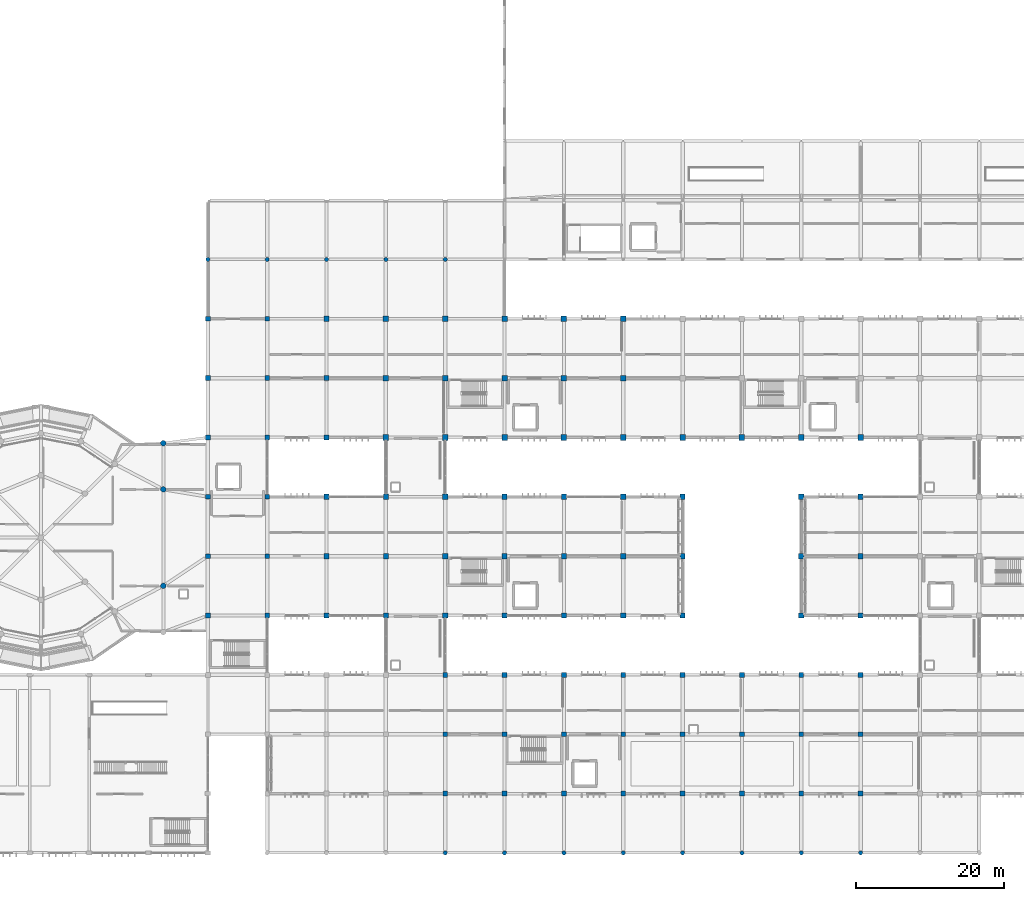
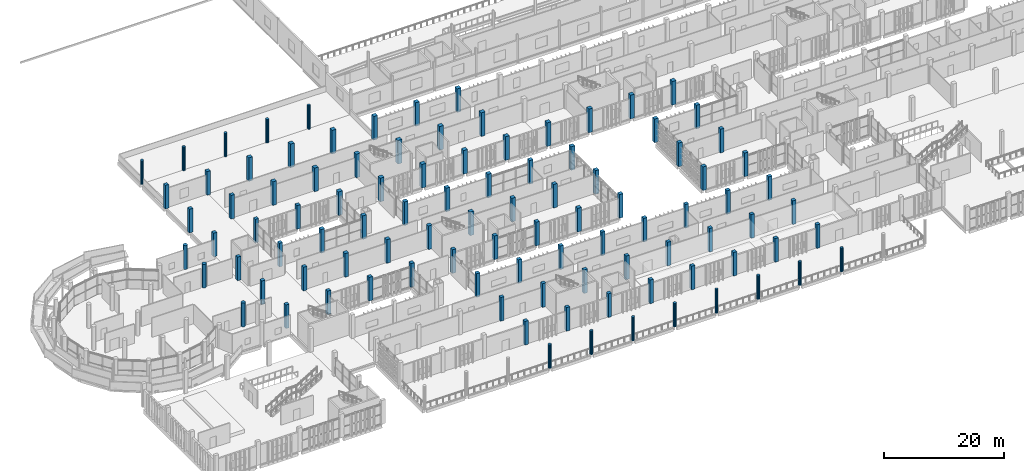
# One storey, part 6 of 106: 101 columns.
"""IFC4 building model written with IfcOpenShell, lengths in metres."""

from ifc_helpers import new_model, si_unit, direction, frame, origin, origin_2d, place, context, subcontext, project, spatial, rectangle, circle, extrude, material, material_profile, profile_set, type_object, element, save


model = new_model("IFC4")

# Units and contexts
model_context = context("Model", 3, precision=1e-05, world=origin(), true_north=direction((0.0, 1.0)))
body_context = subcontext(model_context, "Body", "Model", "MODEL_VIEW")
ifc_project = project(units=[si_unit("LENGTHUNIT", "METRE"), si_unit("AREAUNIT", "SQUARE_METRE"), si_unit("VOLUMEUNIT", "CUBIC_METRE"), si_unit("PLANEANGLEUNIT", "RADIAN"), si_unit("MASSUNIT", "GRAM", prefix="KILO")], contexts=[model_context])

# Site, building, storey
site_placement = place(None, origin())
site = spatial("IfcSite", under=ifc_project, at=site_placement, CompositionType="ELEMENT")
building_placement = place(site_placement, origin())
building = spatial("IfcBuilding", under=site, at=building_placement, Name="Jelvoka-Kovrelna Polytechnic", CompositionType="ELEMENT")
storey_placement = place(building_placement, frame((0.0, 0.0, 4.800048828125)))
storey = spatial("IfcBuildingStorey", under=building, at=storey_placement, Name="L02", CompositionType="ELEMENT", Elevation=4.800048828125)

# Columns
ifc_material_1 = material(Name="Concrete C40/50", Category="concrete")
ifc_material_profile_1 = material_profile(ifc_material_1, circle(Radius=0.27490234375, at=origin_2d()), Name="RC D550")
ifc_profile_set_1 = profile_set([ifc_material_profile_1], Name="Concrete C40/50")
column_type_1 = type_object("IfcColumnType", Name="Col_Pilotis_D550", PredefinedType="PILASTER", material=ifc_profile_set_1)
for number, where, z_axis, x_axis, name in (
    (1, (80.0, 0.0, 0.0), (0.0, 0.0, 1.0), (1.0, 0.0, 0.0), "L02 column 0032"),
    (2, (88.0, 0.0, 0.0), (0.0, 0.0, 1.0), (1.0, 0.0, 0.0), "L02 column 0035"),
    (3, (96.0, 0.0, 0.0), (0.0, 0.0, 1.0), (1.0, 0.0, 0.0), "L02 column 0038"),
    (4, (104.0, 0.0, 0.0), (0.0, 0.0, 1.0), (1.0, 0.0, 0.0), "L02 column 0041"),
    (5, (112.0, 0.0, 0.0), (0.0, 0.0, 1.0), (1.0, 0.0, 0.0), "L02 column 0044"),
    (6, (120.0, 0.0, 0.0), (0.0, 0.0, 1.0), (1.0, 0.0, 0.0), "L02 column 0047"),
    (7, (128.0, 0.0, 0.0), (0.0, 0.0, 1.0), (1.0, 0.0, 0.0), "L02 column 0050"),
    (8, (136.0, 0.0, 0.0), (0.0, 0.0, 1.0), (1.0, 0.0, 0.0), "L02 column 0053"),
    (9, (48.0, 80.0, 0.0), (0.0, 0.0, 1.0), (1.0, 0.0, 0.0), "L02 column 1463"),
    (10, (56.0, 80.0, 0.0), (0.0, 0.0, 1.0), (1.0, 0.0, 0.0), "L02 column 1466"),
    (11, (64.0, 80.0, 0.0), (0.0, 0.0, 1.0), (1.0, 0.0, 0.0), "L02 column 1469"),
    (12, (72.0, 80.0, 0.0), (0.0, 0.0, 1.0), (1.0, 0.0, 0.0), "L02 column 1472"),
    (13, (80.0, 80.0, 0.0), (0.0, 0.0, 1.0), (1.0, 0.0, 0.0), "L02 column 1475"),
):
    element("IfcColumn", number, at=place(storey_placement, frame(where, z_axis=z_axis, x_axis=x_axis)), inside=storey, type_object=column_type_1, Name=name, PredefinedType="PILASTER", context=body_context, shape_type="SweptSolid", body=[
        extrude(circle(Radius=0.27490234375, at=origin_2d()), origin(), (0.0, 0.0, 1.0), 4.800048828125),
    ])
ifc_material_2 = material(Name="Concrete C40/50", Category="concrete")
ifc_material_profile_2 = material_profile(ifc_material_2, rectangle(XDim=0.64990234375, YDim=0.64990234375, at=origin_2d()), Name="RC 650x650")
ifc_profile_set_2 = profile_set([ifc_material_profile_2], Name="Concrete C40/50")
column_type_2 = type_object("IfcColumnType", Name="Col_RC_650", PredefinedType="COLUMN", material=ifc_profile_set_2)
for number, where, z_axis, x_axis, name in (
    (14, (80.0, 8.0, 0.0), (0.0, 0.0, 1.0), (1.0, 0.0, 0.0), "L02 column 0111"),
    (15, (88.0, 8.0, 0.0), (0.0, 0.0, 1.0), (1.0, 0.0, 0.0), "L02 column 0117"),
    (16, (96.0, 8.0, 0.0), (0.0, 0.0, 1.0), (1.0, 0.0, 0.0), "L02 column 0123"),
    (17, (104.0, 8.0, 0.0), (0.0, 0.0, 1.0), (1.0, 0.0, 0.0), "L02 column 0129"),
    (18, (112.0, 8.0, 0.0), (0.0, 0.0, 1.0), (1.0, 0.0, 0.0), "L02 column 0135"),
    (19, (120.0, 8.0, 0.0), (0.0, 0.0, 1.0), (1.0, 0.0, 0.0), "L02 column 0141"),
    (20, (128.0, 8.0, 0.0), (0.0, 0.0, 1.0), (1.0, 0.0, 0.0), "L02 column 0147"),
    (21, (136.0, 8.0, 0.0), (0.0, 0.0, 1.0), (1.0, 0.0, 0.0), "L02 column 0153"),
    (22, (80.0, 16.0, 0.0), (0.0, 0.0, 1.0), (1.0, 0.0, 0.0), "L02 column 0212"),
    (23, (88.0, 16.0, 0.0), (0.0, 0.0, 1.0), (1.0, 0.0, 0.0), "L02 column 0218"),
    (24, (96.0, 16.0, 0.0), (0.0, 0.0, 1.0), (1.0, 0.0, 0.0), "L02 column 0224"),
    (25, (104.0, 16.0, 0.0), (0.0, 0.0, 1.0), (1.0, 0.0, 0.0), "L02 column 0230"),
    (26, (112.0, 16.0, 0.0), (0.0, 0.0, 1.0), (1.0, 0.0, 0.0), "L02 column 0236"),
    (27, (120.0, 16.0, 0.0), (0.0, 0.0, 1.0), (1.0, 0.0, 0.0), "L02 column 0242"),
    (28, (128.0, 16.0, 0.0), (0.0, 0.0, 1.0), (1.0, 0.0, 0.0), "L02 column 0248"),
    (29, (136.0, 16.0, 0.0), (0.0, 0.0, 1.0), (1.0, 0.0, 0.0), "L02 column 0254"),
    (30, (80.0, 24.0, 0.0), (0.0, 0.0, 1.0), (1.0, 0.0, 0.0), "L02 column 0337"),
    (31, (88.0, 24.0, 0.0), (0.0, 0.0, 1.0), (1.0, 0.0, 0.0), "L02 column 0343"),
    (32, (96.0, 24.0, 0.0), (0.0, 0.0, 1.0), (1.0, 0.0, 0.0), "L02 column 0349"),
    (33, (104.0, 24.0, 0.0), (0.0, 0.0, 1.0), (1.0, 0.0, 0.0), "L02 column 0355"),
    (34, (112.0, 24.0, 0.0), (0.0, 0.0, 1.0), (1.0, 0.0, 0.0), "L02 column 0361"),
    (35, (120.0, 24.0, 0.0), (0.0, 0.0, 1.0), (1.0, 0.0, 0.0), "L02 column 0367"),
    (36, (128.0, 24.0, 0.0), (0.0, 0.0, 1.0), (1.0, 0.0, 0.0), "L02 column 0373"),
    (37, (136.0, 24.0, 0.0), (0.0, 0.0, 1.0), (1.0, 0.0, 0.0), "L02 column 0379"),
    (38, (48.0, 32.0, 0.0), (0.0, 0.0, 1.0), (1.0, 0.0, 0.0), "L02 column 0434"),
    (39, (56.0, 32.0, 0.0), (0.0, 0.0, 1.0), (1.0, 0.0, 0.0), "L02 column 0440"),
    (40, (48.0, 40.0, 0.0), (0.0, 0.0, 1.0), (1.0, 0.0, 0.0), "L02 column 0616"),
    (41, (56.0, 40.0, 0.0), (0.0, 0.0, 1.0), (1.0, 0.0, 0.0), "L02 column 0622"),
    (42, (48.0, 48.0, 0.0), (0.0, 0.0, 1.0), (1.0, 0.0, 0.0), "L02 column 0780"),
    (43, (56.0, 48.0, 0.0), (0.0, 0.0, 1.0), (1.0, 0.0, 0.0), "L02 column 0786"),
    (44, (48.0, 56.0, 0.0), (0.0, 0.0, 1.0), (1.0, 0.0, 0.0), "L02 column 0974"),
    (45, (56.0, 56.0, 0.0), (0.0, 0.0, 1.0), (1.0, 0.0, 0.0), "L02 column 0980"),
    (46, (48.0, 64.0, 0.0), (0.0, 0.0, 1.0), (1.0, 0.0, 0.0), "L02 column 1141"),
    (47, (56.0, 64.0, 0.0), (0.0, 0.0, 1.0), (1.0, 0.0, 0.0), "L02 column 1147"),
    (48, (48.0, 72.0, 0.0), (0.0, 0.0, 1.0), (1.0, 0.0, 0.0), "L02 column 1302"),
    (49, (56.0, 72.0, 0.0), (0.0, 0.0, 1.0), (1.0, 0.0, 0.0), "L02 column 1308"),
):
    element("IfcColumn", number, at=place(storey_placement, frame(where, z_axis=z_axis, x_axis=x_axis)), inside=storey, type_object=column_type_2, Name=name, PredefinedType="COLUMN", context=body_context, shape_type="SweptSolid", body=[
        extrude(rectangle(XDim=0.64990234375, YDim=0.64990234375, at=origin_2d()), origin(), (0.0, 0.0, 1.0), 4.800048828125),
    ])
ifc_material_3 = material(Name="Concrete C40/50", Category="concrete")
ifc_material_profile_3 = material_profile(ifc_material_3, rectangle(XDim=0.699951171875, YDim=0.699951171875, at=origin_2d()), Name="RC 700x700")
ifc_profile_set_3 = profile_set([ifc_material_profile_3], Name="Concrete C40/50")
column_type_3 = type_object("IfcColumnType", Name="Col_RC_700", PredefinedType="COLUMN", material=ifc_profile_set_3)
for number, where, z_axis, x_axis, name in (
    (50, (64.0, 32.0, 0.0), (0.0, 0.0, 1.0), (1.0, 0.0, 0.0), "L02 column 0446"),
    (51, (72.0, 32.0, 0.0), (0.0, 0.0, 1.0), (1.0, 0.0, 0.0), "L02 column 0453"),
    (52, (80.0, 32.0, 0.0), (0.0, 0.0, 1.0), (1.0, 0.0, 0.0), "L02 column 0460"),
    (53, (88.0, 32.0, 0.0), (0.0, 0.0, 1.0), (1.0, 0.0, 0.0), "L02 column 0467"),
    (54, (96.0, 32.0, 0.0), (0.0, 0.0, 1.0), (1.0, 0.0, 0.0), "L02 column 0474"),
    (55, (104.0, 32.0, 0.0), (0.0, 0.0, 1.0), (1.0, 0.0, 0.0), "L02 column 0481"),
    (56, (112.0, 32.0, 0.0), (0.0, 0.0, 1.0), (1.0, 0.0, 0.0), "L02 column 0488"),
    (57, (128.0, 32.0, 0.0), (0.0, 0.0, 1.0), (1.0, 0.0, 0.0), "L02 column 0496"),
    (58, (136.0, 32.0, 0.0), (0.0, 0.0, 1.0), (1.0, 0.0, 0.0), "L02 column 0504"),
    (59, (64.0, 40.0, 0.0), (0.0, 0.0, 1.0), (1.0, 0.0, 0.0), "L02 column 0628"),
    (60, (72.0, 40.0, 0.0), (0.0, 0.0, 1.0), (1.0, 0.0, 0.0), "L02 column 0635"),
    (61, (80.0, 40.0, 0.0), (0.0, 0.0, 1.0), (1.0, 0.0, 0.0), "L02 column 0642"),
    (62, (88.0, 40.0, 0.0), (0.0, 0.0, 1.0), (1.0, 0.0, 0.0), "L02 column 0649"),
    (63, (96.0, 40.0, 0.0), (0.0, 0.0, 1.0), (1.0, 0.0, 0.0), "L02 column 0656"),
    (64, (104.0, 40.0, 0.0), (0.0, 0.0, 1.0), (1.0, 0.0, 0.0), "L02 column 0663"),
    (65, (112.0, 40.0, 0.0), (0.0, 0.0, 1.0), (1.0, 0.0, 0.0), "L02 column 0670"),
    (66, (128.0, 40.0, 0.0), (0.0, 0.0, 1.0), (1.0, 0.0, 0.0), "L02 column 0678"),
    (67, (136.0, 40.0, 0.0), (0.0, 0.0, 1.0), (1.0, 0.0, 0.0), "L02 column 0686"),
    (68, (64.0, 48.0, 0.0), (0.0, 0.0, 1.0), (1.0, 0.0, 0.0), "L02 column 0792"),
    (69, (72.0, 48.0, 0.0), (0.0, 0.0, 1.0), (1.0, 0.0, 0.0), "L02 column 0799"),
    (70, (80.0, 48.0, 0.0), (0.0, 0.0, 1.0), (1.0, 0.0, 0.0), "L02 column 0806"),
    (71, (88.0, 48.0, 0.0), (0.0, 0.0, 1.0), (1.0, 0.0, 0.0), "L02 column 0813"),
    (72, (96.0, 48.0, 0.0), (0.0, 0.0, 1.0), (1.0, 0.0, 0.0), "L02 column 0820"),
    (73, (104.0, 48.0, 0.0), (0.0, 0.0, 1.0), (1.0, 0.0, 0.0), "L02 column 0827"),
    (74, (112.0, 48.0, 0.0), (0.0, 0.0, 1.0), (1.0, 0.0, 0.0), "L02 column 0834"),
    (75, (128.0, 48.0, 0.0), (0.0, 0.0, 1.0), (1.0, 0.0, 0.0), "L02 column 0842"),
    (76, (136.0, 48.0, 0.0), (0.0, 0.0, 1.0), (1.0, 0.0, 0.0), "L02 column 0850"),
    (77, (64.0, 56.0, 0.0), (0.0, 0.0, 1.0), (1.0, 0.0, 0.0), "L02 column 0986"),
    (78, (64.0, 64.0, 0.0), (0.0, 0.0, 1.0), (1.0, 0.0, 0.0), "L02 column 1153"),
    (79, (64.0, 72.0, 0.0), (0.0, 0.0, 1.0), (1.0, 0.0, 0.0), "L02 column 1314"),
):
    element("IfcColumn", number, at=place(storey_placement, frame(where, z_axis=z_axis, x_axis=x_axis)), inside=storey, type_object=column_type_3, Name=name, PredefinedType="COLUMN", context=body_context, shape_type="SweptSolid", body=[
        extrude(rectangle(XDim=0.699951171875, YDim=0.699951171875, at=origin_2d()), origin(), (0.0, 0.0, 1.0), 4.800048828125),
    ])
ifc_material_4 = material(Name="Concrete C40/50", Category="concrete")
ifc_material_profile_4 = material_profile(ifc_material_4, rectangle(XDim=0.75, YDim=0.75, at=origin_2d()), Name="RC 750x750")
ifc_profile_set_4 = profile_set([ifc_material_profile_4], Name="Concrete C40/50")
column_type_4 = type_object("IfcColumnType", Name="Col_RC_750", PredefinedType="COLUMN", material=ifc_profile_set_4)
for number, where, z_axis, x_axis, name in (
    (80, (72.0, 56.0, 0.0), (0.0, 0.0, 1.0), (1.0, 0.0, 0.0), "L02 column 0994"),
    (81, (80.0, 56.0, 0.0), (0.0, 0.0, 1.0), (1.0, 0.0, 0.0), "L02 column 1003"),
    (82, (88.0, 56.0, 0.0), (0.0, 0.0, 1.0), (1.0, 0.0, 0.0), "L02 column 1012"),
    (83, (96.0, 56.0, 0.0), (0.0, 0.0, 1.0), (1.0, 0.0, 0.0), "L02 column 1021"),
    (84, (104.0, 56.0, 0.0), (0.0, 0.0, 1.0), (1.0, 0.0, 0.0), "L02 column 1030"),
    (85, (112.0, 56.0, 0.0), (0.0, 0.0, 1.0), (1.0, 0.0, 0.0), "L02 column 1039"),
    (86, (120.0, 56.0, 0.0), (0.0, 0.0, 1.0), (1.0, 0.0, 0.0), "L02 column 1048"),
    (87, (128.0, 56.0, 0.0), (0.0, 0.0, 1.0), (1.0, 0.0, 0.0), "L02 column 1057"),
    (88, (136.0, 56.0, 0.0), (0.0, 0.0, 1.0), (1.0, 0.0, 0.0), "L02 column 1066"),
    (89, (72.0, 64.0, 0.0), (0.0, 0.0, 1.0), (1.0, 0.0, 0.0), "L02 column 1161"),
    (90, (80.0, 64.0, 0.0), (0.0, 0.0, 1.0), (1.0, 0.0, 0.0), "L02 column 1170"),
    (91, (88.0, 64.0, 0.0), (0.0, 0.0, 1.0), (1.0, 0.0, 0.0), "L02 column 1179"),
    (92, (96.0, 64.0, 0.0), (0.0, 0.0, 1.0), (1.0, 0.0, 0.0), "L02 column 1188"),
    (93, (104.0, 64.0, 0.0), (0.0, 0.0, 1.0), (1.0, 0.0, 0.0), "L02 column 1197"),
    (94, (72.0, 72.0, 0.0), (0.0, 0.0, 1.0), (1.0, 0.0, 0.0), "L02 column 1322"),
    (95, (80.0, 72.0, 0.0), (0.0, 0.0, 1.0), (1.0, 0.0, 0.0), "L02 column 1331"),
    (96, (88.0, 72.0, 0.0), (0.0, 0.0, 1.0), (1.0, 0.0, 0.0), "L02 column 1340"),
    (97, (96.0, 72.0, 0.0), (0.0, 0.0, 1.0), (1.0, 0.0, 0.0), "L02 column 1349"),
    (98, (104.0, 72.0, 0.0), (0.0, 0.0, 1.0), (1.0, 0.0, 0.0), "L02 column 1358"),
):
    element("IfcColumn", number, at=place(storey_placement, frame(where, z_axis=z_axis, x_axis=x_axis)), inside=storey, type_object=column_type_4, Name=name, PredefinedType="COLUMN", context=body_context, shape_type="SweptSolid", body=[
        extrude(rectangle(XDim=0.75, YDim=0.75, at=origin_2d()), origin(), (0.0, 0.0, 1.0), 4.800048828125),
    ])
ifc_material_5 = material(Name="Concrete C40/50", Category="concrete")
ifc_material_profile_5 = material_profile(ifc_material_5, circle(Radius=0.375, at=origin_2d()), Name="RC D750")
ifc_profile_set_5 = profile_set([ifc_material_profile_5], Name="Concrete C40/50")
column_type_5 = type_object("IfcColumnType", Name="Col_RC_D750", PredefinedType="COLUMN", material=ifc_profile_set_5)
for number, where, z_axis, x_axis, name in (
    (99, (42.0, 36.0, 0.0), (0.0, 0.0, 1.0), (1.0, 0.0, 0.0), "L02 column 0592"),
    (100, (42.0, 49.0, 0.0), (0.0, 0.0, 1.0), (1.0, 0.0, 0.0), "L02 column 0932"),
    (101, (42.0, 55.227783203125, 0.0), (0.0, 0.0, 1.0), (1.0, 0.0, 0.0), "L02 column 0956"),
):
    element("IfcColumn", number, at=place(storey_placement, frame(where, z_axis=z_axis, x_axis=x_axis)), inside=storey, type_object=column_type_5, Name=name, PredefinedType="COLUMN", context=body_context, shape_type="SweptSolid", body=[
        extrude(circle(Radius=0.375, at=origin_2d()), origin(), (0.0, 0.0, 1.0), 4.800048828125),
    ])

save(model, "model.ifc")
